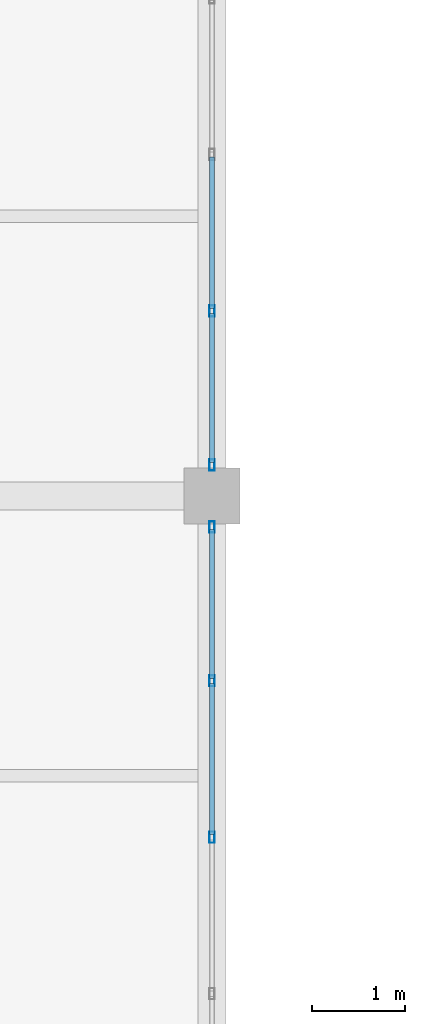
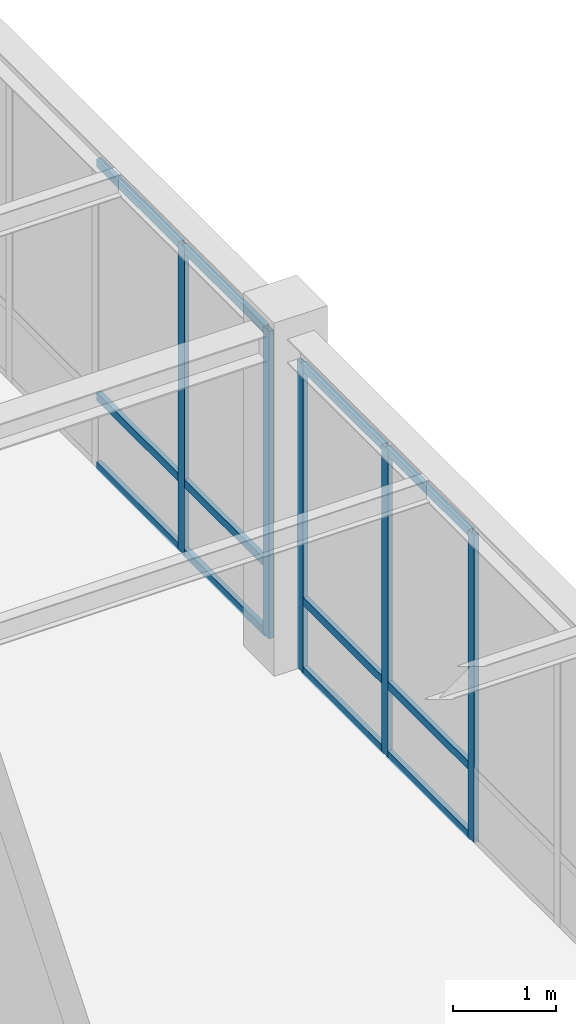
# One storey, part 57 of 130: 17 members, 2 elements without a shape of their own.
"""IFC4 building model written with IfcOpenShell, lengths in metres."""

from ifc_helpers import new_model, si_unit, direction, frame, origin, origin_2d, place, context, subcontext, project, spatial, hollow_rectangle, extrude, material, material_profile, profile_set, type_object, element, aggregate, save


model = new_model("IFC4")

# Units and contexts
model_context = context("Model", 3, precision=1e-05, world=origin(), true_north=direction((0.0, 1.0)))
body_context = subcontext(model_context, "Body", "Model", "MODEL_VIEW")
ifc_project = project(units=[si_unit("LENGTHUNIT", "METRE"), si_unit("AREAUNIT", "SQUARE_METRE"), si_unit("VOLUMEUNIT", "CUBIC_METRE"), si_unit("PLANEANGLEUNIT", "RADIAN"), si_unit("MASSUNIT", "GRAM", prefix="KILO")], contexts=[model_context])

# Site, building, storey
site_placement = place(None, origin())
site = spatial("IfcSite", under=ifc_project, at=site_placement, CompositionType="ELEMENT")
building_placement = place(site_placement, origin())
building = spatial("IfcBuilding", under=site, at=building_placement, Name="Lykobir Media Centre", CompositionType="ELEMENT")
storey_placement = place(building_placement, frame((0.0, 0.0, 19.199951171875)))
storey = spatial("IfcBuildingStorey", under=building, at=storey_placement, Name="L04", CompositionType="ELEMENT", Elevation=19.199951171875)

# Curtain wall, members
ifc_material = material(Name="Anodized Aluminium AW-6060", Category="aluminium")
curtain_wall_type = type_object("IfcCurtainWallType", Name="CW-COURT-B", PredefinedType="NOTDEFINED", material=ifc_material)
curtain_wall_1_placement = place(storey_placement, origin())
curtain_wall_1 = element("IfcCurtainWall", 1, at=curtain_wall_1_placement, inside=storey, type_object=curtain_wall_type, Name="Curtain wall CW2-L04-0173", PredefinedType="NOTDEFINED")
ifc_material_profile_1 = material_profile(ifc_material, hollow_rectangle(XDim=0.054931640625, YDim=0.1201171875, WallThickness=0.003173828125, at=origin_2d()), Name="ALU MULLION 55x120")
ifc_profile_set_1 = profile_set([ifc_material_profile_1], Name="Anodized Aluminium AW-6060")
member_type_1 = type_object("IfcMemberType", Name="CWM-120", PredefinedType="MULLION", material=ifc_profile_set_1)
member_1_placement = place(storey_placement, frame((99.0, 35.66748046875, 0.0), z_axis=(0.0, 0.0, 1.0), x_axis=(1.0, 0.0, 0.0)))
member_1 = element("IfcMember", 2, at=member_1_placement, type_object=member_type_1, Name="CW2-L04-0173 mullion 1", PredefinedType="MULLION", context=body_context, shape_type="SweptSolid", body=[
    extrude(hollow_rectangle(XDim=0.054931640625, YDim=0.1201171875, WallThickness=0.003173828125, at=origin_2d()), origin(), (0.0, 0.0, 1.0), 3.655029296875),
])
member_2_placement = place(storey_placement, frame((99.0, 34.01708984375, 0.0), z_axis=(0.0, 0.0, 1.0), x_axis=(1.0, 0.0, 0.0)))
member_2 = element("IfcMember", 3, at=member_2_placement, type_object=member_type_1, Name="CW2-L04-0173 mullion 2", PredefinedType="MULLION", context=body_context, shape_type="SweptSolid", body=[
    extrude(hollow_rectangle(XDim=0.054931640625, YDim=0.1201171875, WallThickness=0.003173828125, at=origin_2d()), origin(), (0.0, 0.0, 1.0), 3.655029296875),
])
member_3_placement = place(storey_placement, frame((99.0, 32.339111328125, 0.0), z_axis=(0.0, 0.0, 1.0), x_axis=(1.0, 0.0, 0.0)))
member_3 = element("IfcMember", 4, at=member_3_placement, type_object=member_type_1, Name="CW2-L04-0173 mullion 3", PredefinedType="MULLION", context=body_context, shape_type="SweptSolid", body=[
    extrude(hollow_rectangle(XDim=0.054931640625, YDim=0.1201171875, WallThickness=0.003173828125, at=origin_2d()), origin(), (0.0, 0.0, 1.0), 3.655029296875),
])

curtain_wall_2_placement = place(storey_placement, origin())
curtain_wall_2 = element("IfcCurtainWall", 5, at=curtain_wall_2_placement, inside=storey, type_object=curtain_wall_type, Name="Curtain wall CW2-L04-0174", PredefinedType="NOTDEFINED")
member_4_placement = place(storey_placement, frame((99.0, 37.98291015625, 0.0), z_axis=(0.0, 0.0, 1.0), x_axis=(1.0, 0.0, 0.0)))
member_4 = element("IfcMember", 6, at=member_4_placement, type_object=member_type_1, Name="CW2-L04-0174 mullion 5", PredefinedType="MULLION", context=body_context, shape_type="SweptSolid", body=[
    extrude(hollow_rectangle(XDim=0.054931640625, YDim=0.1201171875, WallThickness=0.003173828125, at=origin_2d()), origin(), (0.0, 0.0, 1.0), 3.655029296875),
])
member_5_placement = place(storey_placement, frame((99.0, 36.33251953125, 0.0), z_axis=(0.0, 0.0, 1.0), x_axis=(1.0, 0.0, 0.0)))
member_5 = element("IfcMember", 7, at=member_5_placement, type_object=member_type_1, Name="CW2-L04-0174 mullion 6", PredefinedType="MULLION", context=body_context, shape_type="SweptSolid", body=[
    extrude(hollow_rectangle(XDim=0.054931640625, YDim=0.1201171875, WallThickness=0.003173828125, at=origin_2d()), origin(), (0.0, 0.0, 1.0), 3.655029296875),
])

# Member
ifc_material_profile_2 = material_profile(ifc_material, hollow_rectangle(XDim=0.054931640625, YDim=0.094970703125, WallThickness=0.0029296875, at=origin_2d()), Name="ALU TRANSOM 55x95")
ifc_profile_set_2 = profile_set([ifc_material_profile_2], Name="Anodized Aluminium AW-6060")
member_type_2 = type_object("IfcMemberType", Name="CWT-095", PredefinedType="USERDEFINED", material=ifc_profile_set_2)
member_6_placement = place(storey_placement, frame((99.0, 35.639892578125, 0.027587890625), z_axis=(0.0, -1.0, 0.0), x_axis=(1.0, 0.0, 0.0)))
member_6 = element("IfcMember", 8, at=member_6_placement, type_object=member_type_2, Name="CW2-L04-0173 transom 1.1", ObjectType="TRANSOM", PredefinedType="USERDEFINED", context=body_context, shape_type="SweptSolid", body=[
    extrude(hollow_rectangle(XDim=0.054931640625, YDim=0.094970703125, WallThickness=0.0029296875, at=origin_2d()), origin(), (0.0, 0.0, 1.0), 1.595458984375),
])

member_7_placement = place(storey_placement, frame((99.0, 35.639892578125, 0.85009765625), z_axis=(0.0, -1.0, 0.0), x_axis=(1.0, 0.0, 0.0)))
member_7 = element("IfcMember", 9, at=member_7_placement, type_object=member_type_2, Name="CW2-L04-0173 transom 1.2", ObjectType="TRANSOM", PredefinedType="USERDEFINED", context=body_context, shape_type="SweptSolid", body=[
    extrude(hollow_rectangle(XDim=0.054931640625, YDim=0.094970703125, WallThickness=0.0029296875, at=origin_2d()), origin(), (0.0, 0.0, 1.0), 1.595458984375),
])

member_8_placement = place(storey_placement, frame((99.0, 35.639892578125, 3.62744140625), z_axis=(0.0, -1.0, 0.0), x_axis=(1.0, 0.0, 0.0)))
member_8 = element("IfcMember", 10, at=member_8_placement, type_object=member_type_2, Name="CW2-L04-0173 transom 1.3", ObjectType="TRANSOM", PredefinedType="USERDEFINED", context=body_context, shape_type="SweptSolid", body=[
    extrude(hollow_rectangle(XDim=0.054931640625, YDim=0.094970703125, WallThickness=0.0029296875, at=origin_2d()), origin(), (0.0, 0.0, 1.0), 1.595458984375),
])

member_9_placement = place(storey_placement, frame((99.0, 33.989501953125, 0.027587890625), z_axis=(0.0, -1.0, 0.0), x_axis=(1.0, 0.0, 0.0)))
member_9 = element("IfcMember", 11, at=member_9_placement, type_object=member_type_2, Name="CW2-L04-0173 transom 2.1", ObjectType="TRANSOM", PredefinedType="USERDEFINED", context=body_context, shape_type="SweptSolid", body=[
    extrude(hollow_rectangle(XDim=0.054931640625, YDim=0.094970703125, WallThickness=0.0029296875, at=origin_2d()), origin(), (0.0, 0.0, 1.0), 1.623046875),
])

member_10_placement = place(storey_placement, frame((99.0, 33.989501953125, 0.85009765625), z_axis=(0.0, -1.0, 0.0), x_axis=(1.0, 0.0, 0.0)))
member_10 = element("IfcMember", 12, at=member_10_placement, type_object=member_type_2, Name="CW2-L04-0173 transom 2.2", ObjectType="TRANSOM", PredefinedType="USERDEFINED", context=body_context, shape_type="SweptSolid", body=[
    extrude(hollow_rectangle(XDim=0.054931640625, YDim=0.094970703125, WallThickness=0.0029296875, at=origin_2d()), origin(), (0.0, 0.0, 1.0), 1.623046875),
])

member_11_placement = place(storey_placement, frame((99.0, 33.989501953125, 3.62744140625), z_axis=(0.0, -1.0, 0.0), x_axis=(1.0, 0.0, 0.0)))
member_11 = element("IfcMember", 13, at=member_11_placement, type_object=member_type_2, Name="CW2-L04-0173 transom 2.3", ObjectType="TRANSOM", PredefinedType="USERDEFINED", context=body_context, shape_type="SweptSolid", body=[
    extrude(hollow_rectangle(XDim=0.054931640625, YDim=0.094970703125, WallThickness=0.0029296875, at=origin_2d()), origin(), (0.0, 0.0, 1.0), 1.623046875),
])

aggregate(curtain_wall_1, [member_1, member_2, member_3, member_6, member_7, member_8, member_9, member_10, member_11])

member_12_placement = place(storey_placement, frame((99.0, 39.633544921875, 0.027587890625), z_axis=(0.0, -1.0, 0.0), x_axis=(1.0, 0.0, 0.0)))
member_12 = element("IfcMember", 14, at=member_12_placement, type_object=member_type_2, Name="CW2-L04-0174 transom 4.1", ObjectType="TRANSOM", PredefinedType="USERDEFINED", context=body_context, shape_type="SweptSolid", body=[
    extrude(hollow_rectangle(XDim=0.054931640625, YDim=0.094970703125, WallThickness=0.0029296875, at=origin_2d()), origin(), (0.0, 0.0, 1.0), 1.623046875),
])

member_13_placement = place(storey_placement, frame((99.0, 39.633544921875, 0.85009765625), z_axis=(0.0, -1.0, 0.0), x_axis=(1.0, 0.0, 0.0)))
member_13 = element("IfcMember", 15, at=member_13_placement, type_object=member_type_2, Name="CW2-L04-0174 transom 4.2", ObjectType="TRANSOM", PredefinedType="USERDEFINED", context=body_context, shape_type="SweptSolid", body=[
    extrude(hollow_rectangle(XDim=0.054931640625, YDim=0.094970703125, WallThickness=0.0029296875, at=origin_2d()), origin(), (0.0, 0.0, 1.0), 1.623046875),
])

member_14_placement = place(storey_placement, frame((99.0, 39.633544921875, 3.62744140625), z_axis=(0.0, -1.0, 0.0), x_axis=(1.0, 0.0, 0.0)))
member_14 = element("IfcMember", 16, at=member_14_placement, type_object=member_type_2, Name="CW2-L04-0174 transom 4.3", ObjectType="TRANSOM", PredefinedType="USERDEFINED", context=body_context, shape_type="SweptSolid", body=[
    extrude(hollow_rectangle(XDim=0.054931640625, YDim=0.094970703125, WallThickness=0.0029296875, at=origin_2d()), origin(), (0.0, 0.0, 1.0), 1.623046875),
])

member_15_placement = place(storey_placement, frame((99.0, 37.95556640625, 0.027587890625), z_axis=(0.0, -1.0, 0.0), x_axis=(1.0, 0.0, 0.0)))
member_15 = element("IfcMember", 17, at=member_15_placement, type_object=member_type_2, Name="CW2-L04-0174 transom 5.1", ObjectType="TRANSOM", PredefinedType="USERDEFINED", context=body_context, shape_type="SweptSolid", body=[
    extrude(hollow_rectangle(XDim=0.054931640625, YDim=0.094970703125, WallThickness=0.0029296875, at=origin_2d()), origin(), (0.0, 0.0, 1.0), 1.595458984375),
])

member_16_placement = place(storey_placement, frame((99.0, 37.95556640625, 0.85009765625), z_axis=(0.0, -1.0, 0.0), x_axis=(1.0, 0.0, 0.0)))
member_16 = element("IfcMember", 18, at=member_16_placement, type_object=member_type_2, Name="CW2-L04-0174 transom 5.2", ObjectType="TRANSOM", PredefinedType="USERDEFINED", context=body_context, shape_type="SweptSolid", body=[
    extrude(hollow_rectangle(XDim=0.054931640625, YDim=0.094970703125, WallThickness=0.0029296875, at=origin_2d()), origin(), (0.0, 0.0, 1.0), 1.595458984375),
])

member_17_placement = place(storey_placement, frame((99.0, 37.95556640625, 3.62744140625), z_axis=(0.0, -1.0, 0.0), x_axis=(1.0, 0.0, 0.0)))
member_17 = element("IfcMember", 19, at=member_17_placement, type_object=member_type_2, Name="CW2-L04-0174 transom 5.3", ObjectType="TRANSOM", PredefinedType="USERDEFINED", context=body_context, shape_type="SweptSolid", body=[
    extrude(hollow_rectangle(XDim=0.054931640625, YDim=0.094970703125, WallThickness=0.0029296875, at=origin_2d()), origin(), (0.0, 0.0, 1.0), 1.595458984375),
])

aggregate(curtain_wall_2, [member_4, member_5, member_12, member_13, member_14, member_15, member_16, member_17])

save(model, "model.ifc")
